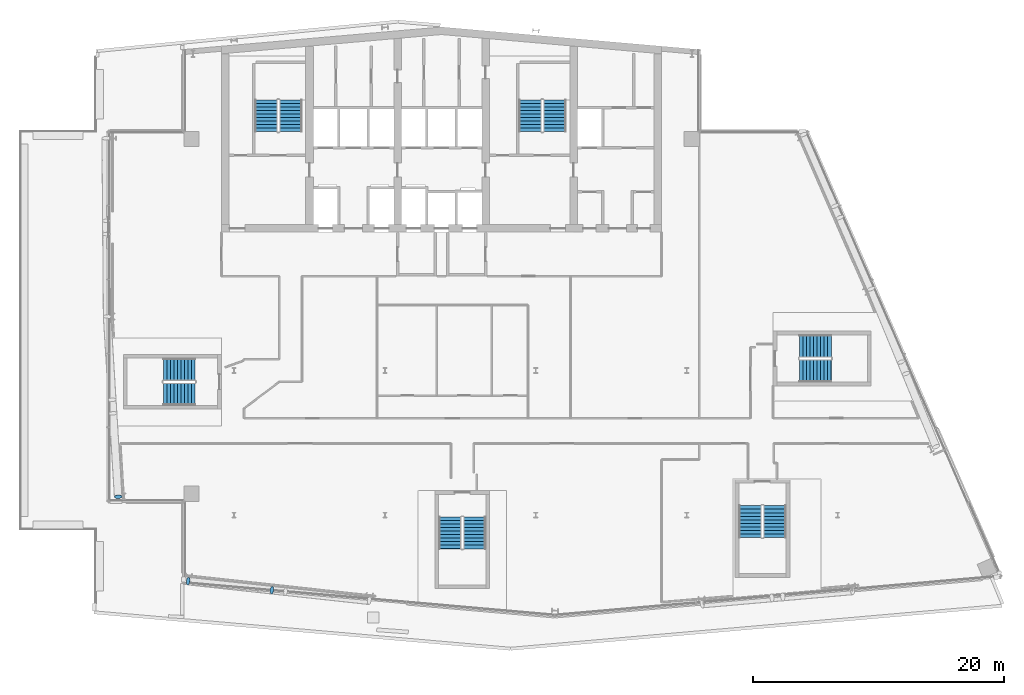
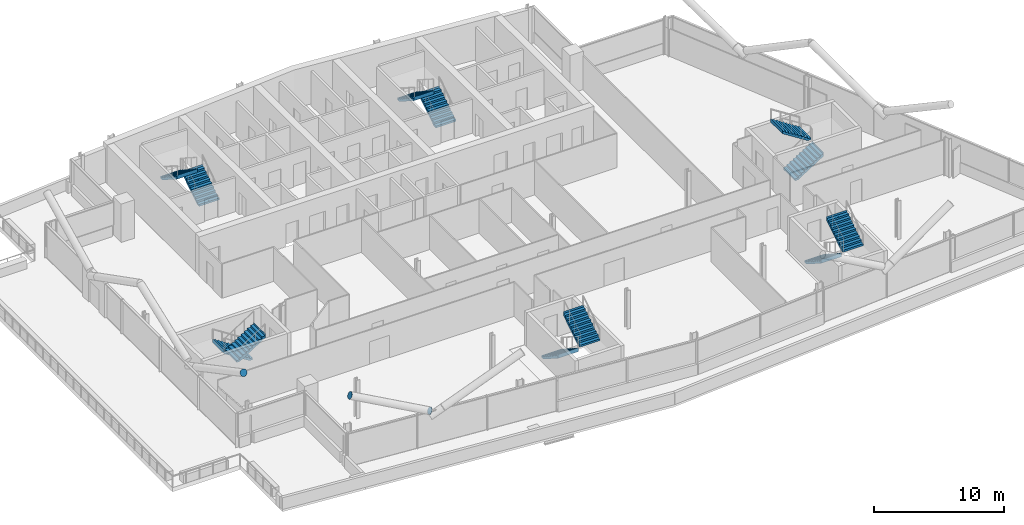
# One storey, part 19 of 27: 12 stair flights, 3 discrete accessories, 6 elements without a shape of their own.
"""IFC4 building model written with IfcOpenShell, lengths in metres."""

from ifc_helpers import new_model, si_unit, direction, frame, origin, origin_2d, place, context, subcontext, project, spatial, polyline, circle, outline, extrude, material, material_profile, profile_set, type_object, element, aggregate, save


model = new_model("IFC4")

# Units and contexts
model_context = context("Model", 3, precision=1e-05, world=origin(), true_north=direction((0.0, 1.0)))
body_context = subcontext(model_context, "Body", "Model", "MODEL_VIEW")
ifc_project = project(units=[si_unit("LENGTHUNIT", "METRE"), si_unit("AREAUNIT", "SQUARE_METRE"), si_unit("VOLUMEUNIT", "CUBIC_METRE"), si_unit("PLANEANGLEUNIT", "RADIAN"), si_unit("MASSUNIT", "GRAM", prefix="KILO")], contexts=[model_context])

# Site, building, storey
site_placement = place(None, origin())
site = spatial("IfcSite", under=ifc_project, at=site_placement, CompositionType="ELEMENT")
building_placement = place(site_placement, origin())
building = spatial("IfcBuilding", under=site, at=building_placement, Name="Wharfspan Tower", CompositionType="ELEMENT")
storey_placement = place(building_placement, frame((0.0, 0.0, 207.100098)))
storey = spatial("IfcBuildingStorey", under=building, at=storey_placement, Name="L51", CompositionType="ELEMENT", Elevation=207.100098)

# Stair, stair flights
ifc_material_1 = material(Name="Concrete C40/50", Category="concrete")
stair_type = type_object("IfcStairType", Name="Half-turn stair 20 risers 180 mm", PredefinedType="HALF_TURN_STAIR", material=ifc_material_1)
stair_1_placement = place(storey_placement, origin())
stair_1 = element("IfcStair", 1, at=stair_1_placement, inside=storey, type_object=stair_type, Name="L51 stair ST1", PredefinedType="HALF_TURN_STAIR")
stair_flight_type = type_object("IfcStairFlightType", Name="Stair flight 20 risers 180 mm", PredefinedType="STRAIGHT", material=ifc_material_1)
stair_flight_1_placement = place(storey_placement, frame((28.5, 42.0, 0.0), z_axis=(0.0, 0.0, 1.0), x_axis=(0.0, 1.0, 0.0)))
stair_flight_1 = element("IfcStairFlight", 2, at=stair_flight_1_placement, type_object=stair_flight_type, Name="ST1 flight 1", NumberOfRisers=10, NumberOfTreads=9, PredefinedType="STRAIGHT", RiserHeight=0.18, TreadLength=0.28, context=body_context, shape_type="SweptSolid", body=[
    extrude(outline(polyline([(-0.011963, 0.0), (-0.011963, 0.179932), (0.0, 0.179932), (0.280029, 0.179932), (0.280029, 0.360107), (0.560059, 0.360107), (0.560059, 0.540039), (0.840088, 0.540039), (0.840088, 0.719971), (1.120117, 0.719971), (1.120117, 0.899902), (1.399902, 0.899902), (1.399902, 1.080078), (1.679932, 1.080078), (1.679932, 1.26001), (1.959961, 1.26001), (1.959961, 1.439941), (2.23999, 1.439941), (2.23999, 1.620117), (2.52002, 1.620117), (2.531982, 1.800049), (2.531982, 1.441895), (0.2771, 0.0), (-0.011963, 0.0)])), frame((0.0, 0.899902, 0.0), z_axis=(0.0, -1.0, 0.0), x_axis=(1.0, 0.0, 0.0)), (0.0, 0.0, 1.0), 0.899414),
    extrude(outline(polyline([(-0.011963, 0.0), (-0.011963, 0.179932), (0.0, 0.179932), (0.280029, 0.179932), (0.280029, 0.360107), (0.560059, 0.360107), (0.560059, 0.540039), (0.840088, 0.540039), (0.840088, 0.719971), (1.120117, 0.719971), (1.120117, 0.899902), (1.399902, 0.899902), (1.399902, 1.080078), (1.679932, 1.080078), (1.679932, 1.26001), (1.959961, 1.26001), (1.959961, 1.439941), (2.23999, 1.439941), (2.23999, 1.620117), (2.52002, 1.620117), (2.531982, 1.800049), (2.531982, 1.441895), (0.2771, 0.0), (-0.011963, 0.0)])), frame((0.0, -0.000488, 0.0), z_axis=(0.0, -1.0, 0.0), x_axis=(1.0, 0.0, 0.0)), (0.0, 0.0, 1.0), 0.899414),
])
stair_flight_2_placement = place(storey_placement, frame((26.550049, 44.52002, 1.799805), z_axis=(0.0, 0.0, 1.0), x_axis=(0.0, -1.0, 0.0)))
stair_flight_2 = element("IfcStairFlight", 3, at=stair_flight_2_placement, type_object=stair_flight_type, Name="ST1 flight 2", NumberOfRisers=10, NumberOfTreads=9, PredefinedType="STRAIGHT", RiserHeight=0.18, TreadLength=0.28, context=body_context, shape_type="SweptSolid", body=[
    extrude(outline(polyline([(-0.011963, 0.0), (-0.011963, 0.179932), (0.0, 0.179932), (0.280029, 0.179932), (0.280029, 0.360107), (0.560059, 0.360107), (0.560059, 0.540039), (0.840088, 0.540039), (0.840088, 0.719971), (1.120117, 0.719971), (1.120117, 0.899902), (1.399902, 0.899902), (1.399902, 1.080078), (1.679932, 1.080078), (1.679932, 1.26001), (1.959961, 1.26001), (1.959961, 1.439941), (2.23999, 1.439941), (2.23999, 1.620117), (2.52002, 1.620117), (2.531982, 1.800049), (2.531982, 1.441895), (0.2771, 0.0), (-0.011963, 0.0)])), frame((0.0, 0.899902, 0.0), z_axis=(0.0, -1.0, 0.0), x_axis=(1.0, 0.0, 0.0)), (0.0, 0.0, 1.0), 0.899414),
    extrude(outline(polyline([(-0.011963, 0.0), (-0.011963, 0.179932), (0.0, 0.179932), (0.280029, 0.179932), (0.280029, 0.360107), (0.560059, 0.360107), (0.560059, 0.540039), (0.840088, 0.540039), (0.840088, 0.719971), (1.120117, 0.719971), (1.120117, 0.899902), (1.399902, 0.899902), (1.399902, 1.080078), (1.679932, 1.080078), (1.679932, 1.26001), (1.959961, 1.26001), (1.959961, 1.439941), (2.23999, 1.439941), (2.23999, 1.620117), (2.52002, 1.620117), (2.531982, 1.800049), (2.531982, 1.441895), (0.2771, 0.0), (-0.011963, 0.0)])), frame((0.0, -0.000488, 0.0), z_axis=(0.0, -1.0, 0.0), x_axis=(1.0, 0.0, 0.0)), (0.0, 0.0, 1.0), 0.899414),
])
aggregate(stair_1, [stair_flight_1, stair_flight_2])

stair_2_placement = place(storey_placement, origin())
stair_2 = element("IfcStair", 4, at=stair_2_placement, inside=storey, type_object=stair_type, Name="L51 stair ST2", PredefinedType="HALF_TURN_STAIR")
stair_flight_3_placement = place(storey_placement, frame((49.5, 42.0, 0.0), z_axis=(0.0, 0.0, 1.0), x_axis=(0.0, 1.0, 0.0)))
stair_flight_3 = element("IfcStairFlight", 5, at=stair_flight_3_placement, type_object=stair_flight_type, Name="ST2 flight 1", NumberOfRisers=10, NumberOfTreads=9, PredefinedType="STRAIGHT", RiserHeight=0.18, TreadLength=0.28, context=body_context, shape_type="SweptSolid", body=[
    extrude(outline(polyline([(-0.011963, 0.0), (-0.011963, 0.179932), (0.0, 0.179932), (0.280029, 0.179932), (0.280029, 0.360107), (0.560059, 0.360107), (0.560059, 0.540039), (0.840088, 0.540039), (0.840088, 0.719971), (1.120117, 0.719971), (1.120117, 0.899902), (1.399902, 0.899902), (1.399902, 1.080078), (1.679932, 1.080078), (1.679932, 1.26001), (1.959961, 1.26001), (1.959961, 1.439941), (2.23999, 1.439941), (2.23999, 1.620117), (2.52002, 1.620117), (2.531982, 1.800049), (2.531982, 1.441895), (0.2771, 0.0), (-0.011963, 0.0)])), frame((0.0, 0.899902, 0.0), z_axis=(0.0, -1.0, 0.0), x_axis=(1.0, 0.0, 0.0)), (0.0, 0.0, 1.0), 0.899414),
    extrude(outline(polyline([(-0.011963, 0.0), (-0.011963, 0.179932), (0.0, 0.179932), (0.280029, 0.179932), (0.280029, 0.360107), (0.560059, 0.360107), (0.560059, 0.540039), (0.840088, 0.540039), (0.840088, 0.719971), (1.120117, 0.719971), (1.120117, 0.899902), (1.399902, 0.899902), (1.399902, 1.080078), (1.679932, 1.080078), (1.679932, 1.26001), (1.959961, 1.26001), (1.959961, 1.439941), (2.23999, 1.439941), (2.23999, 1.620117), (2.52002, 1.620117), (2.531982, 1.800049), (2.531982, 1.441895), (0.2771, 0.0), (-0.011963, 0.0)])), frame((0.0, -0.000488, 0.0), z_axis=(0.0, -1.0, 0.0), x_axis=(1.0, 0.0, 0.0)), (0.0, 0.0, 1.0), 0.899414),
])
stair_flight_4_placement = place(storey_placement, frame((47.550049, 44.52002, 1.799805), z_axis=(0.0, 0.0, 1.0), x_axis=(0.0, -1.0, 0.0)))
stair_flight_4 = element("IfcStairFlight", 6, at=stair_flight_4_placement, type_object=stair_flight_type, Name="ST2 flight 2", NumberOfRisers=10, NumberOfTreads=9, PredefinedType="STRAIGHT", RiserHeight=0.18, TreadLength=0.28, context=body_context, shape_type="SweptSolid", body=[
    extrude(outline(polyline([(-0.011963, 0.0), (-0.011963, 0.179932), (0.0, 0.179932), (0.280029, 0.179932), (0.280029, 0.360107), (0.560059, 0.360107), (0.560059, 0.540039), (0.840088, 0.540039), (0.840088, 0.719971), (1.120117, 0.719971), (1.120117, 0.899902), (1.399902, 0.899902), (1.399902, 1.080078), (1.679932, 1.080078), (1.679932, 1.26001), (1.959961, 1.26001), (1.959961, 1.439941), (2.23999, 1.439941), (2.23999, 1.620117), (2.52002, 1.620117), (2.531982, 1.800049), (2.531982, 1.441895), (0.2771, 0.0), (-0.011963, 0.0)])), frame((0.0, 0.899902, 0.0), z_axis=(0.0, -1.0, 0.0), x_axis=(1.0, 0.0, 0.0)), (0.0, 0.0, 1.0), 0.899414),
    extrude(outline(polyline([(-0.011963, 0.0), (-0.011963, 0.179932), (0.0, 0.179932), (0.280029, 0.179932), (0.280029, 0.360107), (0.560059, 0.360107), (0.560059, 0.540039), (0.840088, 0.540039), (0.840088, 0.719971), (1.120117, 0.719971), (1.120117, 0.899902), (1.399902, 0.899902), (1.399902, 1.080078), (1.679932, 1.080078), (1.679932, 1.26001), (1.959961, 1.26001), (1.959961, 1.439941), (2.23999, 1.439941), (2.23999, 1.620117), (2.52002, 1.620117), (2.531982, 1.800049), (2.531982, 1.441895), (0.2771, 0.0), (-0.011963, 0.0)])), frame((0.0, -0.000488, 0.0), z_axis=(0.0, -1.0, 0.0), x_axis=(1.0, 0.0, 0.0)), (0.0, 0.0, 1.0), 0.899414),
])
aggregate(stair_2, [stair_flight_3, stair_flight_4])

stair_3_placement = place(storey_placement, origin())
stair_3 = element("IfcStair", 7, at=stair_3_placement, inside=storey, type_object=stair_type, Name="L51 stair ST3", PredefinedType="HALF_TURN_STAIR")
stair_flight_5_placement = place(storey_placement, frame((20.899902, 23.074951, 0.0), z_axis=(0.0, 0.0, 1.0), x_axis=(-1.0, 0.0, 0.0)))
stair_flight_5 = element("IfcStairFlight", 8, at=stair_flight_5_placement, type_object=stair_flight_type, Name="ST3 flight 1", NumberOfRisers=10, NumberOfTreads=9, PredefinedType="STRAIGHT", RiserHeight=0.18, TreadLength=0.28, context=body_context, shape_type="SweptSolid", body=[
    extrude(outline(polyline([(-0.011963, 0.0), (-0.011963, 0.179932), (0.0, 0.179932), (0.280029, 0.179932), (0.280029, 0.360107), (0.560059, 0.360107), (0.560059, 0.540039), (0.840088, 0.540039), (0.840088, 0.719971), (1.120117, 0.719971), (1.120117, 0.899902), (1.399902, 0.899902), (1.399902, 1.080078), (1.679932, 1.080078), (1.679932, 1.26001), (1.959961, 1.26001), (1.959961, 1.439941), (2.23999, 1.439941), (2.23999, 1.620117), (2.52002, 1.620117), (2.531982, 1.800049), (2.531982, 1.441895), (0.2771, 0.0), (-0.011963, 0.0)])), frame((0.0, 0.899902, 0.0), z_axis=(0.0, -1.0, 0.0), x_axis=(1.0, 0.0, 0.0)), (0.0, 0.0, 1.0), 0.899414),
    extrude(outline(polyline([(-0.011963, 0.0), (-0.011963, 0.179932), (0.0, 0.179932), (0.280029, 0.179932), (0.280029, 0.360107), (0.560059, 0.360107), (0.560059, 0.540039), (0.840088, 0.540039), (0.840088, 0.719971), (1.120117, 0.719971), (1.120117, 0.899902), (1.399902, 0.899902), (1.399902, 1.080078), (1.679932, 1.080078), (1.679932, 1.26001), (1.959961, 1.26001), (1.959961, 1.439941), (2.23999, 1.439941), (2.23999, 1.620117), (2.52002, 1.620117), (2.531982, 1.800049), (2.531982, 1.441895), (0.2771, 0.0), (-0.011963, 0.0)])), frame((0.0, -0.000488, 0.0), z_axis=(0.0, -1.0, 0.0), x_axis=(1.0, 0.0, 0.0)), (0.0, 0.0, 1.0), 0.899414),
])
stair_flight_6_placement = place(storey_placement, frame((18.379883, 21.125, 1.799805), z_axis=(0.0, 0.0, 1.0), x_axis=(1.0, 0.0, 0.0)))
stair_flight_6 = element("IfcStairFlight", 9, at=stair_flight_6_placement, type_object=stair_flight_type, Name="ST3 flight 2", NumberOfRisers=10, NumberOfTreads=9, PredefinedType="STRAIGHT", RiserHeight=0.18, TreadLength=0.28, context=body_context, shape_type="SweptSolid", body=[
    extrude(outline(polyline([(-0.011963, 0.0), (-0.011963, 0.179932), (0.0, 0.179932), (0.280029, 0.179932), (0.280029, 0.360107), (0.560059, 0.360107), (0.560059, 0.540039), (0.840088, 0.540039), (0.840088, 0.719971), (1.120117, 0.719971), (1.120117, 0.899902), (1.399902, 0.899902), (1.399902, 1.080078), (1.679932, 1.080078), (1.679932, 1.26001), (1.959961, 1.26001), (1.959961, 1.439941), (2.23999, 1.439941), (2.23999, 1.620117), (2.52002, 1.620117), (2.531982, 1.800049), (2.531982, 1.441895), (0.2771, 0.0), (-0.011963, 0.0)])), frame((0.0, 0.899902, 0.0), z_axis=(0.0, -1.0, 0.0), x_axis=(1.0, 0.0, 0.0)), (0.0, 0.0, 1.0), 0.899414),
    extrude(outline(polyline([(-0.011963, 0.0), (-0.011963, 0.179932), (0.0, 0.179932), (0.280029, 0.179932), (0.280029, 0.360107), (0.560059, 0.360107), (0.560059, 0.540039), (0.840088, 0.540039), (0.840088, 0.719971), (1.120117, 0.719971), (1.120117, 0.899902), (1.399902, 0.899902), (1.399902, 1.080078), (1.679932, 1.080078), (1.679932, 1.26001), (1.959961, 1.26001), (1.959961, 1.439941), (2.23999, 1.439941), (2.23999, 1.620117), (2.52002, 1.620117), (2.531982, 1.800049), (2.531982, 1.441895), (0.2771, 0.0), (-0.011963, 0.0)])), frame((0.0, -0.000488, 0.0), z_axis=(0.0, -1.0, 0.0), x_axis=(1.0, 0.0, 0.0)), (0.0, 0.0, 1.0), 0.899414),
])
aggregate(stair_3, [stair_flight_5, stair_flight_6])

stair_4_placement = place(storey_placement, origin())
stair_4 = element("IfcStair", 10, at=stair_4_placement, inside=storey, type_object=stair_type, Name="L51 stair ST4", PredefinedType="HALF_TURN_STAIR")
stair_flight_7_placement = place(storey_placement, frame((41.177002, 11.343262, 0.0), z_axis=(0.0, 0.0, 1.0), x_axis=(0.0, -1.0, 0.0)))
stair_flight_7 = element("IfcStairFlight", 11, at=stair_flight_7_placement, type_object=stair_flight_type, Name="ST4 flight 1", NumberOfRisers=10, NumberOfTreads=9, PredefinedType="STRAIGHT", RiserHeight=0.18, TreadLength=0.28, context=body_context, shape_type="SweptSolid", body=[
    extrude(outline(polyline([(-0.011963, 0.0), (-0.011963, 0.179932), (0.0, 0.179932), (0.280029, 0.179932), (0.280029, 0.360107), (0.560059, 0.360107), (0.560059, 0.540039), (0.840088, 0.540039), (0.840088, 0.719971), (1.120117, 0.719971), (1.120117, 0.899902), (1.399902, 0.899902), (1.399902, 1.080078), (1.679932, 1.080078), (1.679932, 1.26001), (1.959961, 1.26001), (1.959961, 1.439941), (2.23999, 1.439941), (2.23999, 1.620117), (2.52002, 1.620117), (2.531982, 1.800049), (2.531982, 1.441895), (0.2771, 0.0), (-0.011963, 0.0)])), frame((0.0, 0.899902, 0.0), z_axis=(0.0, -1.0, 0.0), x_axis=(1.0, 0.0, 0.0)), (0.0, 0.0, 1.0), 0.899414),
    extrude(outline(polyline([(-0.011963, 0.0), (-0.011963, 0.179932), (0.0, 0.179932), (0.280029, 0.179932), (0.280029, 0.360107), (0.560059, 0.360107), (0.560059, 0.540039), (0.840088, 0.540039), (0.840088, 0.719971), (1.120117, 0.719971), (1.120117, 0.899902), (1.399902, 0.899902), (1.399902, 1.080078), (1.679932, 1.080078), (1.679932, 1.26001), (1.959961, 1.26001), (1.959961, 1.439941), (2.23999, 1.439941), (2.23999, 1.620117), (2.52002, 1.620117), (2.531982, 1.800049), (2.531982, 1.441895), (0.2771, 0.0), (-0.011963, 0.0)])), frame((0.0, -0.000488, 0.0), z_axis=(0.0, -1.0, 0.0), x_axis=(1.0, 0.0, 0.0)), (0.0, 0.0, 1.0), 0.899414),
])
stair_flight_8_placement = place(storey_placement, frame((43.127197, 8.823242, 1.799805), z_axis=(0.0, 0.0, 1.0), x_axis=(0.0, 1.0, 0.0)))
stair_flight_8 = element("IfcStairFlight", 12, at=stair_flight_8_placement, type_object=stair_flight_type, Name="ST4 flight 2", NumberOfRisers=10, NumberOfTreads=9, PredefinedType="STRAIGHT", RiserHeight=0.18, TreadLength=0.28, context=body_context, shape_type="SweptSolid", body=[
    extrude(outline(polyline([(-0.011963, 0.0), (-0.011963, 0.179932), (0.0, 0.179932), (0.280029, 0.179932), (0.280029, 0.360107), (0.560059, 0.360107), (0.560059, 0.540039), (0.840088, 0.540039), (0.840088, 0.719971), (1.120117, 0.719971), (1.120117, 0.899902), (1.399902, 0.899902), (1.399902, 1.080078), (1.679932, 1.080078), (1.679932, 1.26001), (1.959961, 1.26001), (1.959961, 1.439941), (2.23999, 1.439941), (2.23999, 1.620117), (2.52002, 1.620117), (2.531982, 1.800049), (2.531982, 1.441895), (0.2771, 0.0), (-0.011963, 0.0)])), frame((0.0, 0.899902, 0.0), z_axis=(0.0, -1.0, 0.0), x_axis=(1.0, 0.0, 0.0)), (0.0, 0.0, 1.0), 0.899414),
    extrude(outline(polyline([(-0.011963, 0.0), (-0.011963, 0.179932), (0.0, 0.179932), (0.280029, 0.179932), (0.280029, 0.360107), (0.560059, 0.360107), (0.560059, 0.540039), (0.840088, 0.540039), (0.840088, 0.719971), (1.120117, 0.719971), (1.120117, 0.899902), (1.399902, 0.899902), (1.399902, 1.080078), (1.679932, 1.080078), (1.679932, 1.26001), (1.959961, 1.26001), (1.959961, 1.439941), (2.23999, 1.439941), (2.23999, 1.620117), (2.52002, 1.620117), (2.531982, 1.800049), (2.531982, 1.441895), (0.2771, 0.0), (-0.011963, 0.0)])), frame((0.0, -0.000488, 0.0), z_axis=(0.0, -1.0, 0.0), x_axis=(1.0, 0.0, 0.0)), (0.0, 0.0, 1.0), 0.899414),
])
aggregate(stair_4, [stair_flight_7, stair_flight_8])

stair_5_placement = place(storey_placement, origin())
stair_5 = element("IfcStair", 13, at=stair_5_placement, inside=storey, type_object=stair_type, Name="L51 stair ST5", PredefinedType="HALF_TURN_STAIR")
stair_flight_9_placement = place(storey_placement, frame((65.043701, 12.246094, 0.0), z_axis=(0.0, 0.0, 1.0), x_axis=(0.0, -1.0, 0.0)))
stair_flight_9 = element("IfcStairFlight", 14, at=stair_flight_9_placement, type_object=stair_flight_type, Name="ST5 flight 1", NumberOfRisers=10, NumberOfTreads=9, PredefinedType="STRAIGHT", RiserHeight=0.18, TreadLength=0.28, context=body_context, shape_type="SweptSolid", body=[
    extrude(outline(polyline([(-0.011963, 0.0), (-0.011963, 0.179932), (0.0, 0.179932), (0.280029, 0.179932), (0.280029, 0.360107), (0.560059, 0.360107), (0.560059, 0.540039), (0.840088, 0.540039), (0.840088, 0.719971), (1.120117, 0.719971), (1.120117, 0.899902), (1.399902, 0.899902), (1.399902, 1.080078), (1.679932, 1.080078), (1.679932, 1.26001), (1.959961, 1.26001), (1.959961, 1.439941), (2.23999, 1.439941), (2.23999, 1.620117), (2.52002, 1.620117), (2.531982, 1.800049), (2.531982, 1.441895), (0.2771, 0.0), (-0.011963, 0.0)])), frame((0.0, 0.899902, 0.0), z_axis=(0.0, -1.0, 0.0), x_axis=(1.0, 0.0, 0.0)), (0.0, 0.0, 1.0), 0.899414),
    extrude(outline(polyline([(-0.011963, 0.0), (-0.011963, 0.179932), (0.0, 0.179932), (0.280029, 0.179932), (0.280029, 0.360107), (0.560059, 0.360107), (0.560059, 0.540039), (0.840088, 0.540039), (0.840088, 0.719971), (1.120117, 0.719971), (1.120117, 0.899902), (1.399902, 0.899902), (1.399902, 1.080078), (1.679932, 1.080078), (1.679932, 1.26001), (1.959961, 1.26001), (1.959961, 1.439941), (2.23999, 1.439941), (2.23999, 1.620117), (2.52002, 1.620117), (2.531982, 1.800049), (2.531982, 1.441895), (0.2771, 0.0), (-0.011963, 0.0)])), frame((0.0, -0.000488, 0.0), z_axis=(0.0, -1.0, 0.0), x_axis=(1.0, 0.0, 0.0)), (0.0, 0.0, 1.0), 0.899414),
])
stair_flight_10_placement = place(storey_placement, frame((66.993896, 9.726074, 1.799805), z_axis=(0.0, 0.0, 1.0), x_axis=(0.0, 1.0, 0.0)))
stair_flight_10 = element("IfcStairFlight", 15, at=stair_flight_10_placement, type_object=stair_flight_type, Name="ST5 flight 2", NumberOfRisers=10, NumberOfTreads=9, PredefinedType="STRAIGHT", RiserHeight=0.18, TreadLength=0.28, context=body_context, shape_type="SweptSolid", body=[
    extrude(outline(polyline([(-0.011963, 0.0), (-0.011963, 0.179932), (0.0, 0.179932), (0.280029, 0.179932), (0.280029, 0.360107), (0.560059, 0.360107), (0.560059, 0.540039), (0.840088, 0.540039), (0.840088, 0.719971), (1.120117, 0.719971), (1.120117, 0.899902), (1.399902, 0.899902), (1.399902, 1.080078), (1.679932, 1.080078), (1.679932, 1.26001), (1.959961, 1.26001), (1.959961, 1.439941), (2.23999, 1.439941), (2.23999, 1.620117), (2.52002, 1.620117), (2.531982, 1.800049), (2.531982, 1.441895), (0.2771, 0.0), (-0.011963, 0.0)])), frame((0.0, 0.899902, 0.0), z_axis=(0.0, -1.0, 0.0), x_axis=(1.0, 0.0, 0.0)), (0.0, 0.0, 1.0), 0.899414),
    extrude(outline(polyline([(-0.011963, 0.0), (-0.011963, 0.179932), (0.0, 0.179932), (0.280029, 0.179932), (0.280029, 0.360107), (0.560059, 0.360107), (0.560059, 0.540039), (0.840088, 0.540039), (0.840088, 0.719971), (1.120117, 0.719971), (1.120117, 0.899902), (1.399902, 0.899902), (1.399902, 1.080078), (1.679932, 1.080078), (1.679932, 1.26001), (1.959961, 1.26001), (1.959961, 1.439941), (2.23999, 1.439941), (2.23999, 1.620117), (2.52002, 1.620117), (2.531982, 1.800049), (2.531982, 1.441895), (0.2771, 0.0), (-0.011963, 0.0)])), frame((0.0, -0.000488, 0.0), z_axis=(0.0, -1.0, 0.0), x_axis=(1.0, 0.0, 0.0)), (0.0, 0.0, 1.0), 0.899414),
])
aggregate(stair_5, [stair_flight_9, stair_flight_10])

stair_6_placement = place(storey_placement, origin())
stair_6 = element("IfcStair", 16, at=stair_6_placement, inside=storey, type_object=stair_type, Name="L51 stair ST6", PredefinedType="HALF_TURN_STAIR")
stair_flight_11_placement = place(storey_placement, frame((68.969482, 22.975098, 0.0), z_axis=(0.0, 0.0, 1.0), x_axis=(1.0, 0.0, 0.0)))
stair_flight_11 = element("IfcStairFlight", 17, at=stair_flight_11_placement, type_object=stair_flight_type, Name="ST6 flight 1", NumberOfRisers=10, NumberOfTreads=9, PredefinedType="STRAIGHT", RiserHeight=0.18, TreadLength=0.28, context=body_context, shape_type="SweptSolid", body=[
    extrude(outline(polyline([(-0.011963, 0.0), (-0.011963, 0.179932), (0.0, 0.179932), (0.280029, 0.179932), (0.280029, 0.360107), (0.560059, 0.360107), (0.560059, 0.540039), (0.840088, 0.540039), (0.840088, 0.719971), (1.120117, 0.719971), (1.120117, 0.899902), (1.399902, 0.899902), (1.399902, 1.080078), (1.679932, 1.080078), (1.679932, 1.26001), (1.959961, 1.26001), (1.959961, 1.439941), (2.23999, 1.439941), (2.23999, 1.620117), (2.52002, 1.620117), (2.531982, 1.800049), (2.531982, 1.441895), (0.2771, 0.0), (-0.011963, 0.0)])), frame((0.0, 0.899902, 0.0), z_axis=(0.0, -1.0, 0.0), x_axis=(1.0, 0.0, 0.0)), (0.0, 0.0, 1.0), 0.899414),
    extrude(outline(polyline([(-0.011963, 0.0), (-0.011963, 0.179932), (0.0, 0.179932), (0.280029, 0.179932), (0.280029, 0.360107), (0.560059, 0.360107), (0.560059, 0.540039), (0.840088, 0.540039), (0.840088, 0.719971), (1.120117, 0.719971), (1.120117, 0.899902), (1.399902, 0.899902), (1.399902, 1.080078), (1.679932, 1.080078), (1.679932, 1.26001), (1.959961, 1.26001), (1.959961, 1.439941), (2.23999, 1.439941), (2.23999, 1.620117), (2.52002, 1.620117), (2.531982, 1.800049), (2.531982, 1.441895), (0.2771, 0.0), (-0.011963, 0.0)])), frame((0.0, -0.000488, 0.0), z_axis=(0.0, -1.0, 0.0), x_axis=(1.0, 0.0, 0.0)), (0.0, 0.0, 1.0), 0.899414),
])
stair_flight_12_placement = place(storey_placement, frame((71.489502, 24.925049, 1.799805), z_axis=(0.0, 0.0, 1.0), x_axis=(-1.0, 0.0, 0.0)))
stair_flight_12 = element("IfcStairFlight", 18, at=stair_flight_12_placement, type_object=stair_flight_type, Name="ST6 flight 2", NumberOfRisers=10, NumberOfTreads=9, PredefinedType="STRAIGHT", RiserHeight=0.18, TreadLength=0.28, context=body_context, shape_type="SweptSolid", body=[
    extrude(outline(polyline([(-0.011963, 0.0), (-0.011963, 0.179932), (0.0, 0.179932), (0.280029, 0.179932), (0.280029, 0.360107), (0.560059, 0.360107), (0.560059, 0.540039), (0.840088, 0.540039), (0.840088, 0.719971), (1.120117, 0.719971), (1.120117, 0.899902), (1.399902, 0.899902), (1.399902, 1.080078), (1.679932, 1.080078), (1.679932, 1.26001), (1.959961, 1.26001), (1.959961, 1.439941), (2.23999, 1.439941), (2.23999, 1.620117), (2.52002, 1.620117), (2.531982, 1.800049), (2.531982, 1.441895), (0.2771, 0.0), (-0.011963, 0.0)])), frame((0.0, 0.899902, 0.0), z_axis=(0.0, -1.0, 0.0), x_axis=(1.0, 0.0, 0.0)), (0.0, 0.0, 1.0), 0.899414),
    extrude(outline(polyline([(-0.011963, 0.0), (-0.011963, 0.179932), (0.0, 0.179932), (0.280029, 0.179932), (0.280029, 0.360107), (0.560059, 0.360107), (0.560059, 0.540039), (0.840088, 0.540039), (0.840088, 0.719971), (1.120117, 0.719971), (1.120117, 0.899902), (1.399902, 0.899902), (1.399902, 1.080078), (1.679932, 1.080078), (1.679932, 1.26001), (1.959961, 1.26001), (1.959961, 1.439941), (2.23999, 1.439941), (2.23999, 1.620117), (2.52002, 1.620117), (2.531982, 1.800049), (2.531982, 1.441895), (0.2771, 0.0), (-0.011963, 0.0)])), frame((0.0, -0.000488, 0.0), z_axis=(0.0, -1.0, 0.0), x_axis=(1.0, 0.0, 0.0)), (0.0, 0.0, 1.0), 0.899414),
])
aggregate(stair_6, [stair_flight_11, stair_flight_12])

# Discrete accessories
ifc_material_2 = material(Name="Steel S460NH", Category="steel")
ifc_material_profile = material_profile(ifc_material_2, circle(Radius=0.304932, at=origin_2d()))
ifc_profile_set = profile_set([ifc_material_profile], Name="Steel S460NH")
discrete_accessory_type = type_object("IfcDiscreteAccessoryType", Name="End plate CHS 610x25", PredefinedType="BRACKET", material=ifc_profile_set)
discrete_accessory_placement = place(storey_placement, frame((27.014404, 5.527344, 3.166504), z_axis=(-0.895016, 0.096758, 0.435413), x_axis=(-0.107482, -0.994209, -1e-06)))
element("IfcDiscreteAccessory", 19, at=discrete_accessory_placement, inside=storey, type_object=discrete_accessory_type, Name="End plate CHS 610x25", PredefinedType="BRACKET", context=body_context, shape_type="SweptSolid", body=[
    extrude(circle(Radius=0.304932, at=origin_2d()), origin(), (0.0, 0.0, 1.0), 0.01001),
])
for number, where, z_axis, x_axis, name in (
    (20, (20.352539, 6.249268, 6.5), (-0.890043, 0.098894, 0.445021), (-0.110431, -0.99388, 1e-06), "End plate CHS 610x25"),
    (21, (14.782715, 12.963379, 6.5), (0.049629, -0.893325, 0.446663), (0.998463, 0.05547, 0.0), "End plate CHS 610x25"),
):
    element("IfcDiscreteAccessory", number, at=place(storey_placement, frame(where, z_axis=z_axis, x_axis=x_axis)), inside=storey, type_object=discrete_accessory_type, Name=name, PredefinedType="BRACKET", context=body_context, shape_type="SweptSolid", body=[
        extrude(circle(Radius=0.304932, at=origin_2d()), origin(), (0.0, 0.0, 1.0), 0.009766),
    ])

save(model, "model.ifc")
